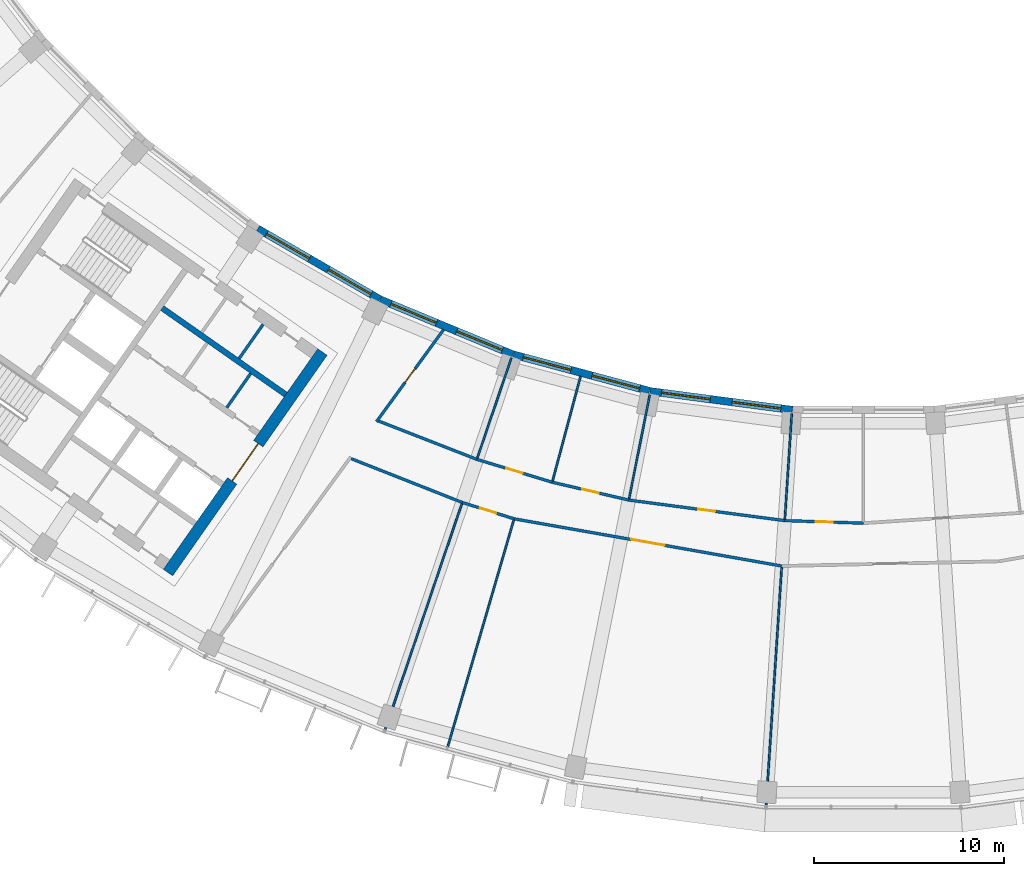
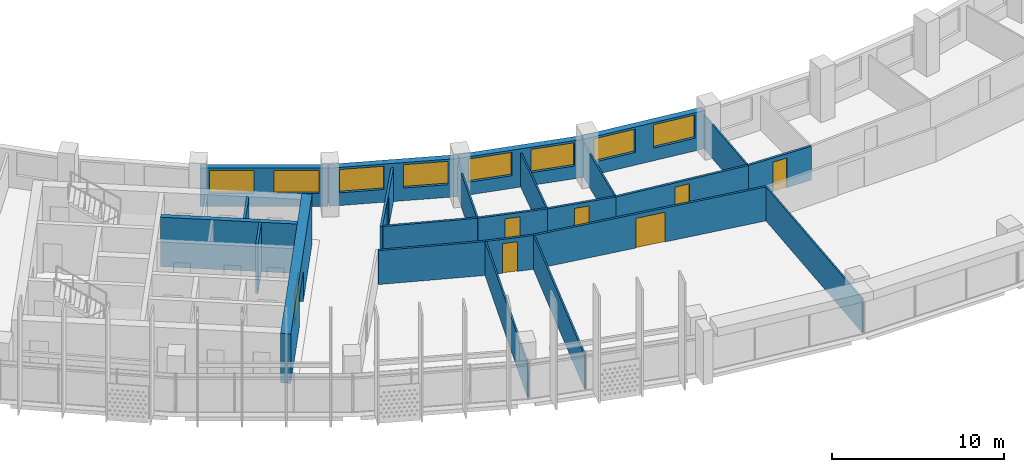
# One storey, part 4 of 28: 24 walls, 8 doors, 8 windows, 16 openings.
"""IFC4 building model written with IfcOpenShell, lengths in metres."""

from ifc_helpers import new_model, si_unit, direction, frame, frame_2d, origin, place, context, subcontext, project, spatial, rectangle, extrude, material, layer, layer_set, type_object, element, fill, save


model = new_model("IFC4")

# Units and contexts
model_context = context("Model", 3, precision=1e-05, world=origin(), true_north=direction((0.0, 1.0)))
body_context = subcontext(model_context, "Body", "Model", "MODEL_VIEW")
ifc_project = project(units=[si_unit("LENGTHUNIT", "METRE"), si_unit("AREAUNIT", "SQUARE_METRE"), si_unit("VOLUMEUNIT", "CUBIC_METRE"), si_unit("PLANEANGLEUNIT", "RADIAN"), si_unit("MASSUNIT", "GRAM", prefix="KILO")], contexts=[model_context])

# Site, building, storey
site_placement = place(None, origin())
site = spatial("IfcSite", under=ifc_project, at=site_placement, CompositionType="ELEMENT")
building_placement = place(site_placement, origin())
building = spatial("IfcBuilding", under=site, at=building_placement, Name="Qamariyya Broadcast Tower", CompositionType="ELEMENT")
storey_placement = place(building_placement, frame((0.0, 0.0, 218.89990234375)))
storey = spatial("IfcBuildingStorey", under=building, at=storey_placement, Name="L52", CompositionType="ELEMENT", Elevation=218.89990234375)

# Wall, opening, door
ifc_material_1 = material(Name="Concrete C60/75", Category="concrete")
ifc_layer_1 = layer(ifc_material_1, 0.60009765625)
ifc_layer_set_1 = layer_set([ifc_layer_1], Name="Core wall 600 mm Concrete C60/75")
wall_type_1 = type_object("IfcWallType", Name="Core wall 600 mm Concrete C60/75", PredefinedType="SHEAR", material=ifc_layer_set_1)
wall_1_placement = place(storey_placement, frame((-36.66748046875, -66.005126953125, 0.0), z_axis=(0.0, 0.0, 1.0), x_axis=(0.573568499524, 0.819157601658, 0.0)))
wall_1 = element("IfcWall", 1, at=wall_1_placement, inside=storey, type_object=wall_type_1, Name="k-W-L52-WA", PredefinedType="SHEAR", context=body_context, shape_type="SweptSolid", body=[
    extrude(rectangle(XDim=14.19970703125, YDim=0.60009765625, at=frame_2d((7.099853515625, 0.0))), origin(), (0.0, 0.0, 1.0), 3.5),
])
opening_1_placement = place(wall_1_placement, frame((5.89990234375, 0.0, 0.0)))
opening_1 = element("IfcOpeningElement", 2, at=opening_1_placement, cuts=wall_1, Name="Opening KD3-W1", PredefinedType="OPENING", context=body_context, shape_type="SweptSolid", body=[
    extrude(rectangle(XDim=2.39990234375, YDim=2.10009765625, at=frame_2d((1.199951171875, 1.050048828125))), frame((0.0, 0.31005859375, 0.0), z_axis=(0.0, -1.0, 0.0), x_axis=(1.0, 0.0, 0.0)), (0.0, 0.0, 1.0), 0.6201171875),
])
ifc_material_2 = material(Name="Steel fire-resisting door leaf", Category="steel")
door_type_1 = type_object("IfcDoorType", Name="Lift lobby door KD3", OperationType="DOUBLE_DOOR_SINGLE_SWING", PredefinedType="DOOR", material=ifc_material_2)
door_1_placement = place(opening_1_placement, origin())
door_1 = element("IfcDoor", 3, at=door_1_placement, inside=storey, type_object=door_type_1, Name="k-W-L52-WA-D1", OperationType="DOUBLE_DOOR_SINGLE_SWING", OverallHeight=2.10009765625, OverallWidth=2.39990234375, PredefinedType="DOOR", context=body_context, shape_type="SweptSolid", body=[
    extrude(rectangle(XDim=2.39990234375, YDim=2.10009765625, at=frame_2d((1.199951171875, 1.050048828125))), frame((0.0, 0.02490234375, 0.0), z_axis=(0.0, -1.0, 0.0), x_axis=(1.0, 0.0, 0.0)), (0.0, 0.0, 1.0), 0.050048828125),
])
fill(opening_1, door_1)

# Walls
ifc_material_3 = material(Name="Gypsum board partition")
ifc_layer_2 = layer(ifc_material_3, 0.14990234375)
ifc_layer_set_2 = layer_set([ifc_layer_2], Name="Corridor partition 150 EI 60")
wall_type_2 = type_object("IfcWallType", Name="Corridor partition 150 EI 60", PredefinedType="PARTITIONING", material=ifc_layer_set_2)
wall_2_placement = place(storey_placement, frame((-27.008056640625, -59.997802734375, 0.0), z_axis=(0.0, 0.0, 1.0), x_axis=(0.930254850636, -0.366914040162, 0.0)))
element("IfcWall", 4, at=wall_2_placement, inside=storey, type_object=wall_type_2, Name="Partition L52-003", PredefinedType="PARTITIONING", context=body_context, shape_type="SweptSolid", body=[
    extrude(rectangle(XDim=6.296630859375, YDim=0.14990234375, at=frame_2d((3.1484375, 0.0))), origin(), (0.0, 0.0, 1.0), 2.400146484375),
])
wall_3_placement = place(storey_placement, frame((-25.561767578125, -58.014892578125, 0.0), z_axis=(0.0, 0.0, 1.0), x_axis=(0.931697931841, -0.363234034479, 0.0)))
element("IfcWall", 5, at=wall_3_placement, inside=storey, type_object=wall_type_2, Name="Partition L52-004", PredefinedType="PARTITIONING", context=body_context, shape_type="SweptSolid", body=[
    extrude(rectangle(XDim=5.5625, YDim=0.14990234375, at=frame_2d((2.78125, 0.0))), origin(), (0.0, 0.0, 1.0), 2.400146484375),
])

# Wall, opening, door
wall_4_placement = place(storey_placement, frame((-22.135498046875, -53.1943359375, 0.0), z_axis=(0.0, 0.0, 1.0), x_axis=(-0.589297062476, -0.807916438846, 0.0)))
wall_4 = element("IfcWall", 6, at=wall_4_placement, inside=storey, type_object=wall_type_2, Name="Partition L52-007", PredefinedType="PARTITIONING", context=body_context, shape_type="SweptSolid", body=[
    extrude(rectangle(XDim=6.008056640625, YDim=0.14990234375, at=frame_2d((3.00390625, 0.0))), origin(), (0.0, 0.0, 1.0), 2.400146484375),
])
opening_2_placement = place(wall_4_placement, frame((2.553955078125, 0.0, 0.0)))
opening_2 = element("IfcOpeningElement", 7, at=opening_2_placement, cuts=wall_4, Name="Opening L52-D07", PredefinedType="OPENING", context=body_context, shape_type="SweptSolid", body=[
    extrude(rectangle(XDim=0.89990234375, YDim=2.10009765625, at=frame_2d((0.449951171875, 1.050048828125))), frame((0.0, 0.0849609375, 0.0), z_axis=(0.0, -1.0, 0.0), x_axis=(1.0, 0.0, 0.0)), (0.0, 0.0, 1.0), 0.169921875),
])
ifc_material_4 = material(Name="Timber fire door leaf", Category="wood")
door_type_2 = type_object("IfcDoorType", Name="Fire door 900 x 2100 FD60", OperationType="NOTDEFINED", PredefinedType="DOOR", material=ifc_material_4)
door_2_placement = place(opening_2_placement, origin())
door_2 = element("IfcDoor", 8, at=door_2_placement, inside=storey, type_object=door_type_2, Name="Door L52-D07", OperationType="SINGLE_SWING_RIGHT", OverallHeight=2.10009765625, OverallWidth=0.89990234375, PredefinedType="DOOR", context=body_context, shape_type="SweptSolid", body=[
    extrude(rectangle(XDim=0.89990234375, YDim=2.10009765625, at=frame_2d((0.449951171875, 1.050048828125))), frame((0.0, 0.02490234375, 0.0), z_axis=(0.0, -1.0, 0.0), x_axis=(1.0, 0.0, 0.0)), (0.0, 0.0, 1.0), 0.050048828125),
])
fill(opening_2, door_2)

wall_5_placement = place(storey_placement, frame((-18.41455078125, -63.170654296875, 0.0), z_axis=(0.0, 0.0, 1.0), x_axis=(-0.953730459195, 0.300662952827, 0.0)))
wall_5 = element("IfcWall", 9, at=wall_5_placement, inside=storey, type_object=wall_type_2, Name="Partition L52-008", PredefinedType="PARTITIONING", context=body_context, shape_type="SweptSolid", body=[
    extrude(rectangle(XDim=2.868896484375, YDim=0.14990234375, at=frame_2d((1.4345703125, 0.0))), origin(), (0.0, 0.0, 1.0), 2.400146484375),
])
opening_3_placement = place(wall_5_placement, frame((0.984619140625, 0.0, 0.0)))
opening_3 = element("IfcOpeningElement", 10, at=opening_3_placement, cuts=wall_5, Name="Opening L52-D02", PredefinedType="OPENING", context=body_context, shape_type="SweptSolid", body=[
    extrude(rectangle(XDim=0.89990234375, YDim=2.10009765625, at=frame_2d((0.449951171875, 1.050048828125))), frame((0.0, 0.0849609375, 0.0), z_axis=(0.0, -1.0, 0.0), x_axis=(1.0, 0.0, 0.0)), (0.0, 0.0, 1.0), 0.169921875),
])
door_3_placement = place(opening_3_placement, origin())
door_3 = element("IfcDoor", 11, at=door_3_placement, inside=storey, type_object=door_type_2, Name="Door L52-D02", OperationType="SINGLE_SWING_RIGHT", OverallHeight=2.10009765625, OverallWidth=0.89990234375, PredefinedType="DOOR", context=body_context, shape_type="SweptSolid", body=[
    extrude(rectangle(XDim=0.89990234375, YDim=2.10009765625, at=frame_2d((0.449951171875, 1.050048828125))), frame((0.0, 0.02490234375, 0.0), z_axis=(0.0, -1.0, 0.0), x_axis=(1.0, 0.0, 0.0)), (0.0, 0.0, 1.0), 0.050048828125),
])
fill(opening_3, door_3)

wall_6_placement = place(storey_placement, frame((-20.379150390625, -60.035400390625, 0.0), z_axis=(0.0, 0.0, 1.0), x_axis=(0.956935765286, -0.290299743568, 0.0)))
wall_6 = element("IfcWall", 12, at=wall_6_placement, inside=storey, type_object=wall_type_2, Name="Partition L52-009", PredefinedType="PARTITIONING", context=body_context, shape_type="SweptSolid", body=[
    extrude(rectangle(XDim=4.148681640625, YDim=0.14990234375, at=frame_2d((2.07421875, 0.0))), origin(), (0.0, 0.0, 1.0), 2.400146484375),
])
opening_4_placement = place(wall_6_placement, frame((1.62451171875, 0.0, 0.0)))
opening_4 = element("IfcOpeningElement", 13, at=opening_4_placement, cuts=wall_6, Name="Opening L52-D08", PredefinedType="OPENING", context=body_context, shape_type="SweptSolid", body=[
    extrude(rectangle(XDim=0.89990234375, YDim=2.10009765625, at=frame_2d((0.449951171875, 1.050048828125))), frame((0.0, 0.0849609375, 0.0), z_axis=(0.0, -1.0, 0.0), x_axis=(1.0, 0.0, 0.0)), (0.0, 0.0, 1.0), 0.169921875),
])
door_4_placement = place(opening_4_placement, origin())
door_4 = element("IfcDoor", 14, at=door_4_placement, inside=storey, type_object=door_type_2, Name="Door L52-D08", OperationType="SINGLE_SWING_RIGHT", OverallHeight=2.10009765625, OverallWidth=0.89990234375, PredefinedType="DOOR", context=body_context, shape_type="SweptSolid", body=[
    extrude(rectangle(XDim=0.89990234375, YDim=2.10009765625, at=frame_2d((0.449951171875, 1.050048828125))), frame((0.0, 0.02490234375, 0.0), z_axis=(0.0, -1.0, 0.0), x_axis=(1.0, 0.0, 0.0)), (0.0, 0.0, 1.0), 0.050048828125),
])
fill(opening_4, door_4)

wall_7_placement = place(storey_placement, frame((-4.303466796875, -65.6591796875, 0.0), z_axis=(0.0, 0.0, 1.0), x_axis=(-0.984803449575, 0.173672581905, 0.0)))
wall_7 = element("IfcWall", 15, at=wall_7_placement, inside=storey, type_object=wall_type_2, Name="Partition L52-011", PredefinedType="PARTITIONING", context=body_context, shape_type="SweptSolid", body=[
    extrude(rectangle(XDim=14.328857421875, YDim=0.14990234375, at=frame_2d((7.16455078125, 0.0))), origin(), (0.0, 0.0, 1.0), 2.400146484375),
])
opening_5_placement = place(wall_7_placement, frame((6.264404296875, 0.0, 0.0)))
opening_5 = element("IfcOpeningElement", 16, at=opening_5_placement, cuts=wall_7, Name="Opening L52-D03", PredefinedType="OPENING", context=body_context, shape_type="SweptSolid", body=[
    extrude(rectangle(XDim=1.800048828125, YDim=2.10009765625, at=frame_2d((0.89990234375, 1.050048828125))), frame((0.0, 0.0849609375, 0.0), z_axis=(0.0, -1.0, 0.0), x_axis=(1.0, 0.0, 0.0)), (0.0, 0.0, 1.0), 0.169921875),
])
door_type_3 = type_object("IfcDoorType", Name="Double fire door 1800 x 2100 FD60", OperationType="NOTDEFINED", PredefinedType="DOOR", material=ifc_material_4)
door_5_placement = place(opening_5_placement, origin())
door_5 = element("IfcDoor", 17, at=door_5_placement, inside=storey, type_object=door_type_3, Name="Door L52-D03", OperationType="DOUBLE_DOOR_SINGLE_SWING", OverallHeight=2.10009765625, OverallWidth=1.800048828125, PredefinedType="DOOR", context=body_context, shape_type="SweptSolid", body=[
    extrude(rectangle(XDim=1.800048828125, YDim=2.10009765625, at=frame_2d((0.89990234375, 1.050048828125))), frame((0.0, 0.02490234375, 0.0), z_axis=(0.0, -1.0, 0.0), x_axis=(1.0, 0.0, 0.0)), (0.0, 0.0, 1.0), 0.050048828125),
])
fill(opening_5, door_5)

wall_8_placement = place(storey_placement, frame((-16.4091796875, -61.23974609375, 0.0), z_axis=(0.0, 0.0, 1.0), x_axis=(0.973875922187, -0.227080796599, 0.0)))
wall_8 = element("IfcWall", 18, at=wall_8_placement, inside=storey, type_object=wall_type_2, Name="Partition L52-012", PredefinedType="PARTITIONING", context=body_context, shape_type="SweptSolid", body=[
    extrude(rectangle(XDim=4.14892578125, YDim=0.14990234375, at=frame_2d((2.074462890625, 0.0))), origin(), (0.0, 0.0, 1.0), 2.400146484375),
])
opening_6_placement = place(wall_8_placement, frame((1.62451171875, 0.0, 0.0)))
opening_6 = element("IfcOpeningElement", 19, at=opening_6_placement, cuts=wall_8, Name="Opening L52-D09", PredefinedType="OPENING", context=body_context, shape_type="SweptSolid", body=[
    extrude(rectangle(XDim=0.89990234375, YDim=2.10009765625, at=frame_2d((0.449951171875, 1.050048828125))), frame((0.0, 0.0849609375, 0.0), z_axis=(0.0, -1.0, 0.0), x_axis=(1.0, 0.0, 0.0)), (0.0, 0.0, 1.0), 0.169921875),
])
door_6_placement = place(opening_6_placement, origin())
door_6 = element("IfcDoor", 20, at=door_6_placement, inside=storey, type_object=door_type_2, Name="Door L52-D09", OperationType="SINGLE_SWING_RIGHT", OverallHeight=2.10009765625, OverallWidth=0.89990234375, PredefinedType="DOOR", context=body_context, shape_type="SweptSolid", body=[
    extrude(rectangle(XDim=0.89990234375, YDim=2.10009765625, at=frame_2d((0.449951171875, 1.050048828125))), frame((0.0, 0.02490234375, 0.0), z_axis=(0.0, -1.0, 0.0), x_axis=(1.0, 0.0, 0.0)), (0.0, 0.0, 1.0), 0.050048828125),
])
fill(opening_6, door_6)

wall_9_placement = place(storey_placement, frame((-12.36865234375, -62.181884765625, 0.0), z_axis=(0.0, 0.0, 1.0), x_axis=(0.991447881484, -0.130503250152, 0.0)))
wall_9 = element("IfcWall", 21, at=wall_9_placement, inside=storey, type_object=wall_type_2, Name="Partition L52-014", PredefinedType="PARTITIONING", context=body_context, shape_type="SweptSolid", body=[
    extrude(rectangle(XDim=8.293212890625, YDim=0.14990234375, at=frame_2d((4.146484375, 0.0))), origin(), (0.0, 0.0, 1.0), 2.400146484375),
])
opening_7_placement = place(wall_9_placement, frame((3.696533203125, 0.0, 0.0)))
opening_7 = element("IfcOpeningElement", 22, at=opening_7_placement, cuts=wall_9, Name="Opening L52-D10", PredefinedType="OPENING", context=body_context, shape_type="SweptSolid", body=[
    extrude(rectangle(XDim=0.89990234375, YDim=2.10009765625, at=frame_2d((0.449951171875, 1.050048828125))), frame((0.0, 0.0849609375, 0.0), z_axis=(0.0, -1.0, 0.0), x_axis=(1.0, 0.0, 0.0)), (0.0, 0.0, 1.0), 0.169921875),
])
door_7_placement = place(opening_7_placement, origin())
door_7 = element("IfcDoor", 23, at=door_7_placement, inside=storey, type_object=door_type_2, Name="Door L52-D10", OperationType="SINGLE_SWING_RIGHT", OverallHeight=2.10009765625, OverallWidth=0.89990234375, PredefinedType="DOOR", context=body_context, shape_type="SweptSolid", body=[
    extrude(rectangle(XDim=0.89990234375, YDim=2.10009765625, at=frame_2d((0.449951171875, 1.050048828125))), frame((0.0, 0.02490234375, 0.0), z_axis=(0.0, -1.0, 0.0), x_axis=(1.0, 0.0, 0.0)), (0.0, 0.0, 1.0), 0.050048828125),
])
fill(opening_7, door_7)

wall_10_placement = place(storey_placement, frame((-4.146484375, -63.26416015625, 0.0), z_axis=(0.0, 0.0, 1.0), x_axis=(0.999464584765, -0.032719165634, 0.0)))
wall_10 = element("IfcWall", 24, at=wall_10_placement, inside=storey, type_object=wall_type_2, Name="Partition L52-018", PredefinedType="PARTITIONING", context=body_context, shape_type="SweptSolid", body=[
    extrude(rectangle(XDim=4.148681640625, YDim=0.14990234375, at=frame_2d((2.07421875, 0.0))), origin(), (0.0, 0.0, 1.0), 2.400146484375),
])
opening_8_placement = place(wall_10_placement, frame((1.62451171875, 0.0, 0.0)))
opening_8 = element("IfcOpeningElement", 25, at=opening_8_placement, cuts=wall_10, Name="Opening L52-D11", PredefinedType="OPENING", context=body_context, shape_type="SweptSolid", body=[
    extrude(rectangle(XDim=0.89990234375, YDim=2.10009765625, at=frame_2d((0.449951171875, 1.050048828125))), frame((0.0, 0.0849609375, 0.0), z_axis=(0.0, -1.0, 0.0), x_axis=(1.0, 0.0, 0.0)), (0.0, 0.0, 1.0), 0.169921875),
])
door_8_placement = place(opening_8_placement, origin())
door_8 = element("IfcDoor", 26, at=door_8_placement, inside=storey, type_object=door_type_2, Name="Door L52-D11", OperationType="SINGLE_SWING_RIGHT", OverallHeight=2.10009765625, OverallWidth=0.89990234375, PredefinedType="DOOR", context=body_context, shape_type="SweptSolid", body=[
    extrude(rectangle(XDim=0.89990234375, YDim=2.10009765625, at=frame_2d((0.449951171875, 1.050048828125))), frame((0.0, 0.02490234375, 0.0), z_axis=(0.0, -1.0, 0.0), x_axis=(1.0, 0.0, 0.0)), (0.0, 0.0, 1.0), 0.050048828125),
])
fill(opening_8, door_8)

# Walls
ifc_material_5 = material(Name="Gypsum board partition on steel studs", Category="steel")
ifc_layer_3 = layer(ifc_material_5, 0.14990234375)
ifc_layer_set_3 = layer_set([ifc_layer_3], Name="Gypsum board partition 150 mm")
wall_type_3 = type_object("IfcWallType", Name="Gypsum board partition 150 mm", PredefinedType="PARTITIONING", material=ifc_layer_set_3)
wall_11_placement = place(storey_placement, frame((-33.569580078125, -57.3095703125, 0.0), z_axis=(0.0, 0.0, 1.0), x_axis=(0.573507030513, 0.819200638399, 0.0)))
element("IfcWall", 27, at=wall_11_placement, inside=storey, type_object=wall_type_3, Name="k-W-L52-NC215", PredefinedType="PARTITIONING", context=body_context, shape_type="SweptSolid", body=[
    extrude(rectangle(XDim=2.199951171875, YDim=0.14990234375, at=frame_2d((1.10009765625, 0.0))), origin(), (0.0, 0.0, 1.0), 3.5),
])
wall_12_placement = place(storey_placement, frame((-32.9140625, -54.716796875, 0.0), z_axis=(0.0, 0.0, 1.0), x_axis=(0.573581496053, 0.819148501424, 0.0)))
element("IfcWall", 28, at=wall_12_placement, inside=storey, type_object=wall_type_3, Name="k-W-L52-NP310", PredefinedType="PARTITIONING", context=body_context, shape_type="SweptSolid", body=[
    extrude(rectangle(XDim=2.2001953125, YDim=0.14990234375, at=frame_2d((1.10009765625, 0.0))), origin(), (0.0, 0.0, 1.0), 3.5),
])
ifc_layer_4 = layer(ifc_material_1, 0.300048828125)
ifc_layer_set_4 = layer_set([ifc_layer_4], Name="Lift shaft wall 300 mm Concrete C60/75")
wall_type_4 = type_object("IfcWallType", Name="Lift shaft wall 300 mm Concrete C60/75", PredefinedType="SOLIDWALL", material=ifc_layer_set_4)
wall_13_placement = place(storey_placement, frame((-30.460693359375, -56.61767578125, 0.0), z_axis=(0.0, 0.0, 1.0), x_axis=(-0.819142461705, 0.573590121456, 0.0)))
element("IfcWall", 29, at=wall_13_placement, inside=storey, type_object=wall_type_4, Name="k-W-L52-NB0", PredefinedType="SOLIDWALL", context=body_context, shape_type="SweptSolid", body=[
    extrude(rectangle(XDim=7.949951171875, YDim=0.300048828125, at=frame_2d((3.97509765625, 0.0))), origin(), (0.0, 0.0, 1.0), 3.5),
])
ifc_layer_5 = layer(ifc_material_3, 0.10009765625)
ifc_layer_set_5 = layer_set([ifc_layer_5], Name="Partition 100")
wall_type_5 = type_object("IfcWallType", Name="Partition 100", PredefinedType="PARTITIONING", material=ifc_layer_set_5)
wall_14_placement = place(storey_placement, frame((-25.217041015625, -74.28662109375, 0.0), z_axis=(0.0, 0.0, 1.0), x_axis=(0.321447438057, 0.946927423072, 0.0)))
element("IfcWall", 30, at=wall_14_placement, inside=storey, type_object=wall_type_5, Name="Partition L52-005", PredefinedType="PARTITIONING", context=body_context, shape_type="SweptSolid", body=[
    extrude(rectangle(XDim=12.5751953125, YDim=0.10009765625, at=frame_2d((6.28759765625, 0.0))), origin(), (0.0, 0.0, 1.0), 2.400146484375),
])
wall_15_placement = place(storey_placement, frame((-21.912841796875, -75.171630859375, 0.0), z_axis=(0.0, 0.0, 1.0), x_axis=(0.27985286912, 0.96004290094, 0.0)))
element("IfcWall", 31, at=wall_15_placement, inside=storey, type_object=wall_type_5, Name="Partition L52-006", PredefinedType="PARTITIONING", context=body_context, shape_type="SweptSolid", body=[
    extrude(rectangle(XDim=12.425537109375, YDim=0.10009765625, at=frame_2d((6.212890625, 0.0))), origin(), (0.0, 0.0, 1.0), 2.400146484375),
])
wall_16_placement = place(storey_placement, frame((-18.563232421875, -54.685302734375, 0.0), z_axis=(0.0, 0.0, 1.0), x_axis=(-0.321438701958, -0.946930388616, 0.0)))
element("IfcWall", 32, at=wall_16_placement, inside=storey, type_object=wall_type_5, Name="Partition L52-010", PredefinedType="PARTITIONING", context=body_context, shape_type="SweptSolid", body=[
    extrude(rectangle(XDim=5.574951171875, YDim=0.10009765625, at=frame_2d((2.78759765625, 0.0))), origin(), (0.0, 0.0, 1.0), 2.400146484375),
])
wall_17_placement = place(storey_placement, frame((-14.9150390625, -55.66357421875, 0.0), z_axis=(0.0, 0.0, 1.0), x_axis=(-0.258803907589, -0.965929882247, 0.0)))
element("IfcWall", 33, at=wall_17_placement, inside=storey, type_object=wall_type_5, Name="Partition L52-013", PredefinedType="PARTITIONING", context=body_context, shape_type="SweptSolid", body=[
    extrude(rectangle(XDim=5.69775390625, YDim=0.10009765625, at=frame_2d((2.848876953125, 0.0))), origin(), (0.0, 0.0, 1.0), 2.400146484375),
])
wall_18_placement = place(storey_placement, frame((-11.266357421875, -56.640380859375, 0.0), z_axis=(0.0, 0.0, 1.0), x_axis=(-0.195097004053, -0.98078395124, 0.0)))
element("IfcWall", 34, at=wall_18_placement, inside=storey, type_object=wall_type_5, Name="Partition L52-015", PredefinedType="PARTITIONING", context=body_context, shape_type="SweptSolid", body=[
    extrude(rectangle(XDim=5.574951171875, YDim=0.10009765625, at=frame_2d((2.78759765625, 0.0))), origin(), (0.0, 0.0, 1.0), 2.400146484375),
])
wall_19_placement = place(storey_placement, frame((-5.130859375, -78.281982421875, 0.0), z_axis=(0.0, 0.0, 1.0), x_axis=(0.065408206533, 0.997858590442, 0.0)))
element("IfcWall", 35, at=wall_19_placement, inside=storey, type_object=wall_type_5, Name="Partition L52-016", PredefinedType="PARTITIONING", context=body_context, shape_type="SweptSolid", body=[
    extrude(rectangle(XDim=12.574951171875, YDim=0.10009765625, at=frame_2d((6.28759765625, 0.0))), origin(), (0.0, 0.0, 1.0), 2.400146484375),
])
wall_20_placement = place(storey_placement, frame((-3.777099609375, -57.62646484375, 0.0), z_axis=(0.0, 0.0, 1.0), x_axis=(-0.065382488891, -0.997860275864, 0.0)))
element("IfcWall", 36, at=wall_20_placement, inside=storey, type_object=wall_type_5, Name="Partition L52-019", PredefinedType="PARTITIONING", context=body_context, shape_type="SweptSolid", body=[
    extrude(rectangle(XDim=5.574951171875, YDim=0.10009765625, at=frame_2d((2.78759765625, 0.0))), origin(), (0.0, 0.0, 1.0), 2.400146484375),
])

# Wall, openings, windows
ifc_material_6 = material(Name="Terracotta", Category="masonry")
ifc_layer_6 = layer(ifc_material_6, 0.39990234375)
ifc_layer_set_6 = layer_set([ifc_layer_6], Name="Terracotta clad wall 400")
wall_type_6 = type_object("IfcWallType", Name="Terracotta clad wall 400", PredefinedType="SOLIDWALL", material=ifc_layer_set_6)
wall_21_placement = place(storey_placement, frame((-25.497802734375, -51.590087890625, 0.0), z_axis=(0.0, 0.0, 1.0), x_axis=(-0.866021353871, 0.500007014591, 0.0)))
wall_21 = element("IfcWall", 37, at=wall_21_placement, inside=storey, type_object=wall_type_6, Name="e-wl-L52-in40", PredefinedType="SOLIDWALL", context=body_context, shape_type="SweptSolid", body=[
    extrude(rectangle(XDim=7.4267578125, YDim=0.39990234375, at=frame_2d((3.71337890625, 0.0))), origin(), (0.0, 0.0, 1.0), 2.7001953125),
])
opening_9_placement = place(wall_21_placement, frame((4.28857421875, 0.0, 0.89990234375)))
opening_9 = element("IfcOpeningElement", 38, at=opening_9_placement, cuts=wall_21, Name="Opening W1", PredefinedType="OPENING", context=body_context, shape_type="SweptSolid", body=[
    extrude(rectangle(XDim=2.60009765625, YDim=1.64990234375, at=frame_2d((1.300048828125, 0.824951171875))), frame((0.0, 0.2099609375, 0.0), z_axis=(0.0, -1.0, 0.0), x_axis=(1.0, 0.0, 0.0)), (0.0, 0.0, 1.0), 0.419921875),
])
opening_10_placement = place(wall_21_placement, frame((0.537841796875, 0.0, 0.89990234375)))
opening_10 = element("IfcOpeningElement", 39, at=opening_10_placement, cuts=wall_21, Name="Opening W1", PredefinedType="OPENING", context=body_context, shape_type="SweptSolid", body=[
    extrude(rectangle(XDim=2.60009765625, YDim=1.64990234375, at=frame_2d((1.300048828125, 0.824951171875))), frame((0.0, 0.2099609375, 0.0), z_axis=(0.0, -1.0, 0.0), x_axis=(1.0, 0.0, 0.0)), (0.0, 0.0, 1.0), 0.419921875),
])
ifc_material_7 = material(Name="Clear low-e double glazed unit in aluminium frame", Category="aluminium")
window_type = type_object("IfcWindowType", Name="Ribbon window 2600 x 1650", PartitioningType="SINGLE_PANEL", PredefinedType="WINDOW", material=ifc_material_7)
window_1_placement = place(opening_9_placement, origin())
window_1 = element("IfcWindow", 40, at=window_1_placement, inside=storey, type_object=window_type, Name="e-w-L52-in04-0", OverallHeight=1.64990234375, OverallWidth=2.60009765625, PartitioningType="SINGLE_PANEL", PredefinedType="WINDOW", context=body_context, shape_type="SweptSolid", body=[
    extrude(rectangle(XDim=2.60009765625, YDim=1.64990234375, at=frame_2d((1.300048828125, 0.824951171875))), frame((0.0, 0.030029296875, 0.0), z_axis=(0.0, -1.0, 0.0), x_axis=(1.0, 0.0, 0.0)), (0.0, 0.0, 1.0), 0.06005859375),
])
fill(opening_9, window_1)
window_2_placement = place(opening_10_placement, origin())
window_2 = element("IfcWindow", 41, at=window_2_placement, inside=storey, type_object=window_type, Name="e-w-L52-in04-1", OverallHeight=1.64990234375, OverallWidth=2.60009765625, PartitioningType="SINGLE_PANEL", PredefinedType="WINDOW", context=body_context, shape_type="SweptSolid", body=[
    extrude(rectangle(XDim=2.60009765625, YDim=1.64990234375, at=frame_2d((1.300048828125, 0.824951171875))), frame((0.0, 0.030029296875, 0.0), z_axis=(0.0, -1.0, 0.0), x_axis=(1.0, 0.0, 0.0)), (0.0, 0.0, 1.0), 0.06005859375),
])
fill(opening_10, window_2)

wall_22_placement = place(storey_placement, frame((-18.475830078125, -54.505859375, 0.0), z_axis=(0.0, 0.0, 1.0), x_axis=(-0.923884115122, 0.382672368777, 0.0)))
wall_22 = element("IfcWall", 42, at=wall_22_placement, inside=storey, type_object=wall_type_6, Name="e-wl-L52-in50", PredefinedType="SOLIDWALL", context=body_context, shape_type="SweptSolid", body=[
    extrude(rectangle(XDim=7.578125, YDim=0.39990234375, at=frame_2d((3.7890625, 0.0))), origin(), (0.0, 0.0, 1.0), 2.7001953125),
])
opening_11_placement = place(wall_22_placement, frame((4.364501953125, 0.0, 0.89990234375)))
opening_11 = element("IfcOpeningElement", 43, at=opening_11_placement, cuts=wall_22, Name="Opening W1", PredefinedType="OPENING", context=body_context, shape_type="SweptSolid", body=[
    extrude(rectangle(XDim=2.60009765625, YDim=1.64990234375, at=frame_2d((1.300048828125, 0.824951171875))), frame((0.0, 0.2099609375, 0.0), z_axis=(0.0, -1.0, 0.0), x_axis=(1.0, 0.0, 0.0)), (0.0, 0.0, 1.0), 0.419921875),
])
opening_12_placement = place(wall_22_placement, frame((0.613525390625, 0.0, 0.89990234375)))
opening_12 = element("IfcOpeningElement", 44, at=opening_12_placement, cuts=wall_22, Name="Opening W1", PredefinedType="OPENING", context=body_context, shape_type="SweptSolid", body=[
    extrude(rectangle(XDim=2.60009765625, YDim=1.64990234375, at=frame_2d((1.300048828125, 0.824951171875))), frame((0.0, 0.2099609375, 0.0), z_axis=(0.0, -1.0, 0.0), x_axis=(1.0, 0.0, 0.0)), (0.0, 0.0, 1.0), 0.419921875),
])
window_3_placement = place(opening_11_placement, origin())
window_3 = element("IfcWindow", 45, at=window_3_placement, inside=storey, type_object=window_type, Name="e-w-L52-in05-0", OverallHeight=1.64990234375, OverallWidth=2.60009765625, PartitioningType="SINGLE_PANEL", PredefinedType="WINDOW", context=body_context, shape_type="SweptSolid", body=[
    extrude(rectangle(XDim=2.60009765625, YDim=1.64990234375, at=frame_2d((1.300048828125, 0.824951171875))), frame((0.0, 0.030029296875, 0.0), z_axis=(0.0, -1.0, 0.0), x_axis=(1.0, 0.0, 0.0)), (0.0, 0.0, 1.0), 0.06005859375),
])
fill(opening_11, window_3)
window_4_placement = place(opening_12_placement, origin())
window_4 = element("IfcWindow", 46, at=window_4_placement, inside=storey, type_object=window_type, Name="e-w-L52-in05-1", OverallHeight=1.64990234375, OverallWidth=2.60009765625, PartitioningType="SINGLE_PANEL", PredefinedType="WINDOW", context=body_context, shape_type="SweptSolid", body=[
    extrude(rectangle(XDim=2.60009765625, YDim=1.64990234375, at=frame_2d((1.300048828125, 0.824951171875))), frame((0.0, 0.030029296875, 0.0), z_axis=(0.0, -1.0, 0.0), x_axis=(1.0, 0.0, 0.0)), (0.0, 0.0, 1.0), 0.06005859375),
])
fill(opening_12, window_4)

wall_23_placement = place(storey_placement, frame((-11.276611328125, -56.431396484375, 0.0), z_axis=(0.0, 0.0, 1.0), x_axis=(-0.965924866111, 0.25882262851, 0.0)))
wall_23 = element("IfcWall", 47, at=wall_23_placement, inside=storey, type_object=wall_type_6, Name="e-wl-L52-in60", PredefinedType="SOLIDWALL", context=body_context, shape_type="SweptSolid", body=[
    extrude(rectangle(XDim=7.426513671875, YDim=0.39990234375, at=frame_2d((3.71337890625, 0.0))), origin(), (0.0, 0.0, 1.0), 2.7001953125),
])
opening_13_placement = place(wall_23_placement, frame((4.28857421875, 0.0, 0.89990234375)))
opening_13 = element("IfcOpeningElement", 48, at=opening_13_placement, cuts=wall_23, Name="Opening W1", PredefinedType="OPENING", context=body_context, shape_type="SweptSolid", body=[
    extrude(rectangle(XDim=2.60009765625, YDim=1.64990234375, at=frame_2d((1.300048828125, 0.824951171875))), frame((0.0, 0.2099609375, 0.0), z_axis=(0.0, -1.0, 0.0), x_axis=(1.0, 0.0, 0.0)), (0.0, 0.0, 1.0), 0.419921875),
])
opening_14_placement = place(wall_23_placement, frame((0.537841796875, 0.0, 0.89990234375)))
opening_14 = element("IfcOpeningElement", 49, at=opening_14_placement, cuts=wall_23, Name="Opening W1", PredefinedType="OPENING", context=body_context, shape_type="SweptSolid", body=[
    extrude(rectangle(XDim=2.60009765625, YDim=1.64990234375, at=frame_2d((1.300048828125, 0.824951171875))), frame((0.0, 0.2099609375, 0.0), z_axis=(0.0, -1.0, 0.0), x_axis=(1.0, 0.0, 0.0)), (0.0, 0.0, 1.0), 0.419921875),
])
window_5_placement = place(opening_13_placement, origin())
window_5 = element("IfcWindow", 50, at=window_5_placement, inside=storey, type_object=window_type, Name="e-w-L52-in06-0", OverallHeight=1.64990234375, OverallWidth=2.60009765625, PartitioningType="SINGLE_PANEL", PredefinedType="WINDOW", context=body_context, shape_type="SweptSolid", body=[
    extrude(rectangle(XDim=2.60009765625, YDim=1.64990234375, at=frame_2d((1.300048828125, 0.824951171875))), frame((0.0, 0.030029296875, 0.0), z_axis=(0.0, -1.0, 0.0), x_axis=(1.0, 0.0, 0.0)), (0.0, 0.0, 1.0), 0.06005859375),
])
fill(opening_13, window_5)
window_6_placement = place(opening_14_placement, origin())
window_6 = element("IfcWindow", 51, at=window_6_placement, inside=storey, type_object=window_type, Name="e-w-L52-in06-1", OverallHeight=1.64990234375, OverallWidth=2.60009765625, PartitioningType="SINGLE_PANEL", PredefinedType="WINDOW", context=body_context, shape_type="SweptSolid", body=[
    extrude(rectangle(XDim=2.60009765625, YDim=1.64990234375, at=frame_2d((1.300048828125, 0.824951171875))), frame((0.0, 0.030029296875, 0.0), z_axis=(0.0, -1.0, 0.0), x_axis=(1.0, 0.0, 0.0)), (0.0, 0.0, 1.0), 0.06005859375),
])
fill(opening_14, window_6)

wall_24_placement = place(storey_placement, frame((-3.7392578125, -57.430419921875, 0.0), z_axis=(0.0, 0.0, 1.0), x_axis=(-0.991446288508, 0.130515351599, 0.0)))
wall_24 = element("IfcWall", 52, at=wall_24_placement, inside=storey, type_object=wall_type_6, Name="e-wl-L52-in70", PredefinedType="SOLIDWALL", context=body_context, shape_type="SweptSolid", body=[
    extrude(rectangle(XDim=7.57763671875, YDim=0.39990234375, at=frame_2d((3.788818359375, 0.0))), origin(), (0.0, 0.0, 1.0), 2.7001953125),
])
opening_15_placement = place(wall_24_placement, frame((4.364501953125, 0.0, 0.89990234375)))
opening_15 = element("IfcOpeningElement", 53, at=opening_15_placement, cuts=wall_24, Name="Opening W1", PredefinedType="OPENING", context=body_context, shape_type="SweptSolid", body=[
    extrude(rectangle(XDim=2.60009765625, YDim=1.64990234375, at=frame_2d((1.300048828125, 0.824951171875))), frame((0.0, 0.2099609375, 0.0), z_axis=(0.0, -1.0, 0.0), x_axis=(1.0, 0.0, 0.0)), (0.0, 0.0, 1.0), 0.419921875),
])
opening_16_placement = place(wall_24_placement, frame((0.613525390625, 0.0, 0.89990234375)))
opening_16 = element("IfcOpeningElement", 54, at=opening_16_placement, cuts=wall_24, Name="Opening W1", PredefinedType="OPENING", context=body_context, shape_type="SweptSolid", body=[
    extrude(rectangle(XDim=2.60009765625, YDim=1.64990234375, at=frame_2d((1.300048828125, 0.824951171875))), frame((0.0, 0.2099609375, 0.0), z_axis=(0.0, -1.0, 0.0), x_axis=(1.0, 0.0, 0.0)), (0.0, 0.0, 1.0), 0.419921875),
])
window_7_placement = place(opening_15_placement, origin())
window_7 = element("IfcWindow", 55, at=window_7_placement, inside=storey, type_object=window_type, Name="e-w-L52-in07-0", OverallHeight=1.64990234375, OverallWidth=2.60009765625, PartitioningType="SINGLE_PANEL", PredefinedType="WINDOW", context=body_context, shape_type="SweptSolid", body=[
    extrude(rectangle(XDim=2.60009765625, YDim=1.64990234375, at=frame_2d((1.300048828125, 0.824951171875))), frame((0.0, 0.030029296875, 0.0), z_axis=(0.0, -1.0, 0.0), x_axis=(1.0, 0.0, 0.0)), (0.0, 0.0, 1.0), 0.06005859375),
])
fill(opening_15, window_7)
window_8_placement = place(opening_16_placement, origin())
window_8 = element("IfcWindow", 56, at=window_8_placement, inside=storey, type_object=window_type, Name="e-w-L52-in07-1", OverallHeight=1.64990234375, OverallWidth=2.60009765625, PartitioningType="SINGLE_PANEL", PredefinedType="WINDOW", context=body_context, shape_type="SweptSolid", body=[
    extrude(rectangle(XDim=2.60009765625, YDim=1.64990234375, at=frame_2d((1.300048828125, 0.824951171875))), frame((0.0, 0.030029296875, 0.0), z_axis=(0.0, -1.0, 0.0), x_axis=(1.0, 0.0, 0.0)), (0.0, 0.0, 1.0), 0.06005859375),
])
fill(opening_16, window_8)

save(model, "model.ifc")
